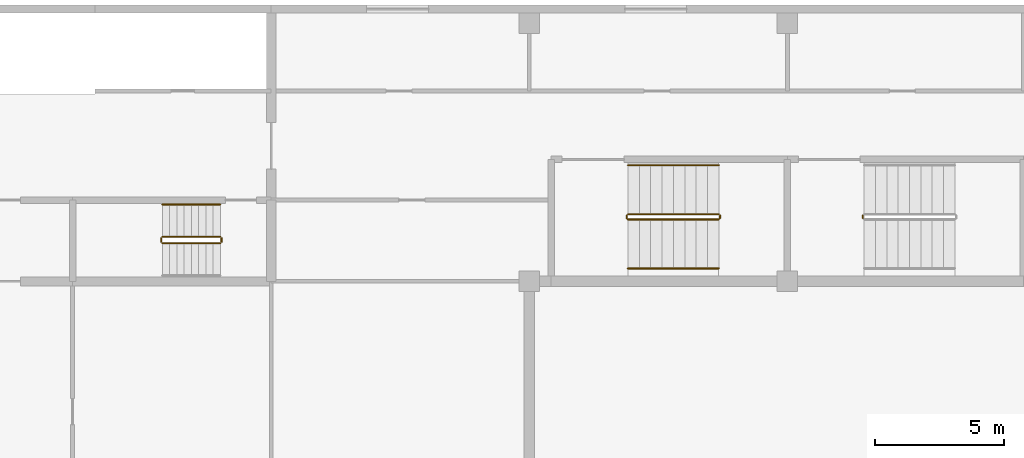
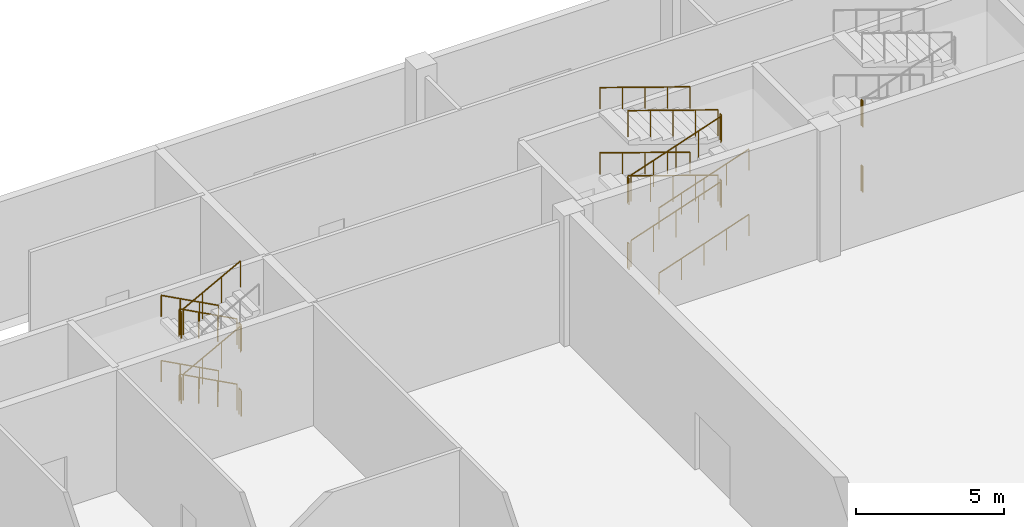
# One storey, part 33 of 35: 24 railings.
"""IFC4 building model written with IfcOpenShell, lengths in metres."""

import ifcopenshell
import ifcopenshell.guid

model = None  # the IFC model being written
_history = None  # IfcOwnerHistory: only IFC2X3 demands one
_inside = {}  # id of a spatial element -> (the spatial element, [elements in it])
_under = {}  # id of a project, library or spatial element -> (it, [spatial elements below it])
_declared = {}  # id of a project -> (the project, [libraries it declares])
_typed = {}  # id of a type object -> (the type object, [elements of that type])
_made_of = {}  # id of a material, layer set ... -> (it, [elements and type objects made of it])


def new_model(schema):
    """Start an empty IFC model of exactly this schema.

    Asked for "IFC4X3", IfcOpenShell would pick the latest addendum, in which some entities
    have other attributes; the version numbers below select the first issue.
    IFC2X3 requires an IfcOwnerHistory on every rooted entity: one is made here for all.
    """
    global model, _history
    if schema == "IFC4X3":
        model = ifcopenshell.file(schema_version=(4, 3, 0, 0))
    else:
        model = ifcopenshell.file(schema=schema)
    _inside.clear()
    _under.clear()
    _declared.clear()
    _typed.clear()
    _made_of.clear()
    _history = None
    if model.schema == "IFC2X3":
        org = make("IfcOrganization", Name="unknown")
        user = make(
            "IfcPersonAndOrganization",
            ThePerson=make("IfcPerson", FamilyName="unknown"),
            TheOrganization=org,
        )
        app = make(
            "IfcApplication",
            ApplicationDeveloper=org,
            Version="unknown",
            ApplicationFullName="unknown",
            ApplicationIdentifier="unknown",
        )
        _history = make(
            "IfcOwnerHistory",
            OwningUser=user,
            OwningApplication=app,
            ChangeAction="ADDED",
            CreationDate=0,
        )
    return model


def make(cls, **values):
    """One entity of the class cls with the attributes given. An attribute that is None is left unset."""
    return model.create_entity(
        cls, **{name: value for name, value in values.items() if value is not None}
    )


def rooted(cls, **values):
    """An entity with a GlobalId (a new one), such as an element, a storey or a relation."""
    return make(cls, GlobalId=ifcopenshell.guid.new(), OwnerHistory=_history, **values)


def si_unit(unit_type, name, prefix=None):
    """IfcSIUnit, for example si_unit("LENGTHUNIT", "METRE", prefix="MILLI")."""
    return make("IfcSIUnit", UnitType=unit_type, Prefix=prefix, Name=name)


def assignment(units):
    """IfcUnitAssignment: the units of a project."""
    return None if units is None else make("IfcUnitAssignment", Units=units)


def point(xyz):
    """IfcCartesianPoint."""
    return None if xyz is None else make("IfcCartesianPoint", Coordinates=xyz)


def direction(xyz):
    """IfcDirection."""
    return None if xyz is None else make("IfcDirection", DirectionRatios=xyz)


def frame(location, z_axis=None, x_axis=None):
    """IfcAxis2Placement3D, a coordinate frame: its origin and axes. An axis left out is left unset."""
    return make(
        "IfcAxis2Placement3D",
        Location=point(location),
        Axis=direction(z_axis),
        RefDirection=direction(x_axis),
    )


def frame_2d(location, x_axis=None):
    """IfcAxis2Placement2D, a coordinate frame in the plane: its origin and x axis."""
    return make(
        "IfcAxis2Placement2D", Location=point(location), RefDirection=direction(x_axis)
    )


def origin():
    """The frame at (0, 0, 0) with its axes left unset."""
    return frame((0.0, 0.0, 0.0))


def origin_2d():
    """The frame at (0, 0) in the plane with its x axis left unset."""
    return frame_2d((0.0, 0.0))


def place(relative_to, where):
    """IfcLocalPlacement: puts the frame where relative to a parent placement (None: the world)."""
    return make(
        "IfcLocalPlacement", PlacementRelTo=relative_to, RelativePlacement=where
    )


def context(
    kind, dimensions, precision=None, world=None, true_north=None, identifier=None
):
    """IfcGeometricRepresentationContext, for example the 3D "Model" context."""
    return make(
        "IfcGeometricRepresentationContext",
        ContextIdentifier=identifier,
        ContextType=kind,
        CoordinateSpaceDimension=dimensions,
        Precision=precision,
        WorldCoordinateSystem=world,
        TrueNorth=true_north,
    )


def subcontext(parent, identifier, kind, view, scale=None):
    """IfcGeometricRepresentationSubContext, for example "Body" below "Model"."""
    return make(
        "IfcGeometricRepresentationSubContext",
        ContextIdentifier=identifier,
        ContextType=kind,
        ParentContext=parent,
        TargetScale=scale,
        TargetView=view,
    )


def project(units=None, contexts=None):
    """IfcProject with its units and contexts."""
    return rooted(
        "IfcProject",
        Name="project",
        RepresentationContexts=contexts,
        UnitsInContext=assignment(units),
    )


def spatial(cls, under=None, at=None, **own):
    """A site, building, storey or space (cls), placed at a placement, below another one or the project."""
    s = rooted(cls, ObjectPlacement=at, **own)
    if under is not None:
        _under.setdefault(under.id(), (under, []))[1].append(s)
    return s


def profile(cls, at=None, kind="AREA", **sizes):
    """A parametric profile (cls). Its sizes go by their IFC names, for example OverallWidth=200.0."""
    return make(cls, ProfileType=kind, Position=at, **sizes)


def circle(**sizes):
    """IfcCircleProfileDef."""
    return profile("IfcCircleProfileDef", **sizes)


def extrude(swept, where, along, depth):
    """IfcExtrudedAreaSolid: the profile swept, set in the frame where, extruded along a direction by depth."""
    return make(
        "IfcExtrudedAreaSolid",
        SweptArea=swept,
        Position=where,
        ExtrudedDirection=direction(along),
        Depth=depth,
    )


def shape(context_of_items, identifier, shape_type, items):
    """IfcShapeRepresentation: the items that make up one representation, for example the "Body"."""
    return make(
        "IfcShapeRepresentation",
        ContextOfItems=context_of_items,
        RepresentationIdentifier=identifier,
        RepresentationType=shape_type,
        Items=items,
    )


def material(Name=None, Category=None):
    """IfcMaterial."""
    return make("IfcMaterial", Name=Name, Category=Category)


def made_of(thing, what):
    """Note that an element or type object is made of a material, layer set ...; save() writes the relation."""
    if what is not None:
        _made_of.setdefault(what.id(), (what, []))[1].append(thing)
    return thing


def type_object(cls, material=None, **own):
    """A type object (cls), such as IfcWallType, which elements share."""
    return made_of(rooted(cls, **own), material)


def element(
    cls,
    number,
    at=None,
    inside=None,
    cuts=None,
    type_object=None,
    material=None,
    context=None,
    identifier="Body",
    shape_type=None,
    held_by="IfcProductDefinitionShape",
    body=None,
    shapes=None,
    **own,
):
    """One element of the class cls, such as IfcWall. Its Tag is "e" and its number.

    at: its placement. inside: the storey or other place that contains it. cuts: it is an
    opening in that element (IfcRelVoidsElement). A single representation is given by context,
    identifier, shape_type and body (its items); several are given by shapes. held_by: the class
    of the entity that holds the representations. save() writes the other relations.
    """
    e = rooted(cls, Tag="e%d" % number, ObjectPlacement=at, **own)
    if body is not None:
        shapes = [shape(context, identifier, shape_type, body)]
    if shapes is not None:
        e.Representation = make(held_by, Representations=shapes)
    if inside is not None:
        _inside.setdefault(inside.id(), (inside, []))[1].append(e)
    if cuts is not None:
        rooted(
            "IfcRelVoidsElement", RelatingBuildingElement=cuts, RelatedOpeningElement=e
        )
    if type_object is not None:
        _typed.setdefault(type_object.id(), (type_object, []))[1].append(e)
    return made_of(e, material)


def aggregate(whole, parts):
    """IfcRelAggregates: a whole, such as a stair, and the parts it consists of."""
    return rooted("IfcRelAggregates", RelatingObject=whole, RelatedObjects=parts)


def save(model, path):
    """Write the relations noted so far, then the file.

    IfcRelAggregates (storeys below a building ...), IfcRelContainedInSpatialStructure (elements
    in a storey), IfcRelDefinesByType, IfcRelAssociatesMaterial and IfcRelDeclares: one each for
    every whole, place, type object, material and project.
    """
    for whole, parts in _under.values():
        aggregate(whole, parts)
    for where, things in _inside.values():
        rooted(
            "IfcRelContainedInSpatialStructure",
            RelatedElements=things,
            RelatingStructure=where,
        )
    for kind, things in _typed.values():
        rooted("IfcRelDefinesByType", RelatedObjects=things, RelatingType=kind)
    for what, things in _made_of.values():
        rooted("IfcRelAssociatesMaterial", RelatedObjects=things, RelatingMaterial=what)
    for by, libraries in _declared.values():
        rooted("IfcRelDeclares", RelatingContext=by, RelatedDefinitions=libraries)
    model.write(path)


model = new_model("IFC4")

# Units and contexts
model_context = context("Model", 3, precision=1e-05, world=origin(), true_north=direction((0.0, 1.0)))
body_context = subcontext(model_context, "Body", "Model", "MODEL_VIEW")
ifc_project = project(units=[si_unit("LENGTHUNIT", "METRE"), si_unit("AREAUNIT", "SQUARE_METRE"), si_unit("VOLUMEUNIT", "CUBIC_METRE"), si_unit("PLANEANGLEUNIT", "RADIAN"), si_unit("MASSUNIT", "GRAM", prefix="KILO")], contexts=[model_context])

# Site, building, storey
site_placement = place(None, origin())
site = spatial("IfcSite", under=ifc_project, at=site_placement, CompositionType="ELEMENT")
building_placement = place(site_placement, origin())
building = spatial("IfcBuilding", under=site, at=building_placement, Name="Jabali Bay Hotel Tower and Convention Centre", CompositionType="ELEMENT")
storey_placement = place(building_placement, frame((0.0, 0.0, 15.0)))
storey = spatial("IfcBuildingStorey", under=building, at=storey_placement, Name="L02", CompositionType="ELEMENT", Elevation=15.0)

# Railings
ifc_material = material(Name="Stainless steel 304", Category="steel")
railing_type_1 = type_object("IfcRailingType", Name="CC Stair Guard 1100", PredefinedType="GUARDRAIL", material=ifc_material)
railing_1_placement = place(storey_placement, frame((168.72509765625, 101.72509765625, 0.14990234375)))
element("IfcRailing", 1, at=railing_1_placement, inside=storey, type_object=railing_type_1, Name="L02 CC-STWB stair guard 1", PredefinedType="GUARDRAIL", context=body_context, shape_type="SweptSolid", body=[
    extrude(circle(Radius=0.02392578125, at=origin_2d()), frame((0.0, 0.0, 1.076171875), z_axis=(-0.881447119201, 0.0, 0.472282728937), x_axis=(0.0, -1.0, 0.0)), (0.0, 0.0, 1.0), 2.541259765625),
    extrude(circle(Radius=0.02099609375, at=origin_2d()), origin(), (0.0, 0.0, 1.0), 1.052001953125),
    extrude(circle(Radius=0.02099609375, at=origin_2d()), frame((-0.74658203125, 0.0, 0.400146484375)), (0.0, 0.0, 1.0), 1.052001953125),
    extrude(circle(Radius=0.02099609375, at=origin_2d()), frame((-1.493408203125, 0.0, 0.800048828125)), (0.0, 0.0, 1.0), 1.052001953125),
    extrude(circle(Radius=0.02099609375, at=origin_2d()), frame((-2.239990234375, 0.0, 1.2001953125)), (0.0, 0.0, 1.0), 1.052001953125),
])
railing_2_placement = place(storey_placement, frame((166.43505859375, 101.675048828125, 1.35009765625)))
element("IfcRailing", 2, at=railing_2_placement, inside=storey, type_object=railing_type_1, Name="L02 CC-STWB stair guard 2", PredefinedType="GUARDRAIL", context=body_context, shape_type="SweptSolid", body=[
    extrude(circle(Radius=0.02392578125, at=origin_2d()), frame((0.0, 0.0, 1.076171875), z_axis=(0.0, -1.0, 0.0), x_axis=(1.0, 0.0, 0.0)), (0.0, 0.0, 1.0), 0.150146484375),
    extrude(circle(Radius=0.02099609375, at=origin_2d()), origin(), (0.0, 0.0, 1.0), 1.052001953125),
    extrude(circle(Radius=0.02099609375, at=origin_2d()), frame((0.0, -0.150146484375, 0.0)), (0.0, 0.0, 1.0), 1.052001953125),
])
railing_3_placement = place(storey_placement, frame((166.485107421875, 101.47509765625, 1.5)))
element("IfcRailing", 3, at=railing_3_placement, inside=storey, type_object=railing_type_1, Name="L02 CC-STWB stair guard 3", PredefinedType="GUARDRAIL", context=body_context, shape_type="SweptSolid", body=[
    extrude(circle(Radius=0.02392578125, at=origin_2d()), frame((0.0, 0.0, 1.076171875), z_axis=(0.881487111273, 0.0, 0.472208081951), x_axis=(0.0, 1.0, 0.0)), (0.0, 0.0, 1.0), 2.541259765625),
    extrude(circle(Radius=0.02099609375, at=origin_2d()), origin(), (0.0, 0.0, 1.0), 1.052001953125),
    extrude(circle(Radius=0.02099609375, at=origin_2d()), frame((0.74658203125, 0.0, 0.39990234375)), (0.0, 0.0, 1.0), 1.052001953125),
    extrude(circle(Radius=0.02099609375, at=origin_2d()), frame((1.493408203125, 0.0, 0.800048828125)), (0.0, 0.0, 1.0), 1.052001953125),
    extrude(circle(Radius=0.02099609375, at=origin_2d()), frame((2.239990234375, 0.0, 1.199951171875)), (0.0, 0.0, 1.0), 1.052001953125),
])
railing_4_placement = place(storey_placement, frame((168.77490234375, 101.675048828125, 2.699951171875)))
element("IfcRailing", 4, at=railing_4_placement, inside=storey, type_object=railing_type_1, Name="L02 CC-STWB stair guard 4", PredefinedType="GUARDRAIL", context=body_context, shape_type="SweptSolid", body=[
    extrude(circle(Radius=0.02392578125, at=origin_2d()), frame((0.0, 0.0, 1.076171875), z_axis=(0.0, -1.0, 0.0), x_axis=(1.0, 0.0, 0.0)), (0.0, 0.0, 1.0), 0.150146484375),
    extrude(circle(Radius=0.02099609375, at=origin_2d()), origin(), (0.0, 0.0, 1.0), 1.052001953125),
    extrude(circle(Radius=0.02099609375, at=origin_2d()), frame((0.0, -0.150146484375, 0.0)), (0.0, 0.0, 1.0), 1.052001953125),
])
railing_5_placement = place(storey_placement, frame((168.72509765625, 101.72509765625, 2.85009765625)))
element("IfcRailing", 5, at=railing_5_placement, inside=storey, type_object=railing_type_1, Name="L02 CC-STWB stair guard 5", PredefinedType="GUARDRAIL", context=body_context, shape_type="SweptSolid", body=[
    extrude(circle(Radius=0.02392578125, at=origin_2d()), frame((0.0, 0.0, 1.076171875), z_axis=(-0.881487111273, 0.0, 0.472208081951), x_axis=(0.0, -1.0, 0.0)), (0.0, 0.0, 1.0), 2.541259765625),
    extrude(circle(Radius=0.02099609375, at=origin_2d()), origin(), (0.0, 0.0, 1.0), 1.052001953125),
    extrude(circle(Radius=0.02099609375, at=origin_2d()), frame((-0.74658203125, 0.0, 0.39990234375)), (0.0, 0.0, 1.0), 1.052001953125),
    extrude(circle(Radius=0.02099609375, at=origin_2d()), frame((-1.493408203125, 0.0, 0.800048828125)), (0.0, 0.0, 1.0), 1.052001953125),
    extrude(circle(Radius=0.02099609375, at=origin_2d()), frame((-2.239990234375, 0.0, 1.199951171875)), (0.0, 0.0, 1.0), 1.052001953125),
])
railing_6_placement = place(storey_placement, frame((166.43505859375, 101.675048828125, 4.050048828125)))
element("IfcRailing", 6, at=railing_6_placement, inside=storey, type_object=railing_type_1, Name="L02 CC-STWB stair guard 6", PredefinedType="GUARDRAIL", context=body_context, shape_type="SweptSolid", body=[
    extrude(circle(Radius=0.02392578125, at=origin_2d()), frame((0.0, 0.0, 1.076171875), z_axis=(0.0, -1.0, 0.0), x_axis=(1.0, 0.0, 0.0)), (0.0, 0.0, 1.0), 0.150146484375),
    extrude(circle(Radius=0.02099609375, at=origin_2d()), origin(), (0.0, 0.0, 1.0), 1.052001953125),
    extrude(circle(Radius=0.02099609375, at=origin_2d()), frame((0.0, -0.150146484375, 0.0)), (0.0, 0.0, 1.0), 1.052001953125),
])
railing_7_placement = place(storey_placement, frame((166.485107421875, 101.47509765625, 4.199951171875)))
element("IfcRailing", 7, at=railing_7_placement, inside=storey, type_object=railing_type_1, Name="L02 CC-STWB stair guard 7", PredefinedType="GUARDRAIL", context=body_context, shape_type="SweptSolid", body=[
    extrude(circle(Radius=0.02392578125, at=origin_2d()), frame((0.0, 0.0, 1.076171875), z_axis=(0.881487111273, 0.0, 0.472208081951), x_axis=(0.0, 1.0, 0.0)), (0.0, 0.0, 1.0), 2.541259765625),
    extrude(circle(Radius=0.02099609375, at=origin_2d()), origin(), (0.0, 0.0, 1.0), 1.052001953125),
    extrude(circle(Radius=0.02099609375, at=origin_2d()), frame((0.74658203125, 0.0, 0.39990234375)), (0.0, 0.0, 1.0), 1.052001953125),
    extrude(circle(Radius=0.02099609375, at=origin_2d()), frame((1.493408203125, 0.0, 0.800048828125)), (0.0, 0.0, 1.0), 1.052001953125),
    extrude(circle(Radius=0.02099609375, at=origin_2d()), frame((2.239990234375, 0.0, 1.199951171875)), (0.0, 0.0, 1.0), 1.052001953125),
])
railing_8_placement = place(storey_placement, frame((168.77490234375, 101.675048828125, 0.0)))
element("IfcRailing", 8, at=railing_8_placement, inside=storey, type_object=railing_type_1, Name="L02 CC-STWB stair guard 8", PredefinedType="GUARDRAIL", context=body_context, shape_type="SweptSolid", body=[
    extrude(circle(Radius=0.02392578125, at=origin_2d()), frame((0.0, 0.0, 1.076171875), z_axis=(0.0, -1.0, 0.0), x_axis=(1.0, 0.0, 0.0)), (0.0, 0.0, 1.0), 0.150146484375),
    extrude(circle(Radius=0.02099609375, at=origin_2d()), origin(), (0.0, 0.0, 1.0), 1.052001953125),
    extrude(circle(Radius=0.02099609375, at=origin_2d()), frame((0.0, -0.150146484375, 0.0)), (0.0, 0.0, 1.0), 1.052001953125),
])
railing_9_placement = place(storey_placement, frame((184.52490234375, 102.39990234375, 0.14990234375)))
element("IfcRailing", 9, at=railing_9_placement, inside=storey, type_object=railing_type_1, Name="L02 CC-STN1 stair guard 1", PredefinedType="GUARDRAIL", context=body_context, shape_type="SweptSolid", body=[
    extrude(circle(Radius=0.02392578125, at=origin_2d()), frame((0.0, 0.0, 1.076171875), z_axis=(0.946494694335, 0.0, 0.322719372822), x_axis=(0.0, 1.0, 0.0)), (0.0, 0.0, 1.0), 3.718994140625),
    extrude(circle(Radius=0.02099609375, at=origin_2d()), origin(), (0.0, 0.0, 1.0), 1.052001953125),
    extrude(circle(Radius=0.02099609375, at=origin_2d()), frame((0.8798828125, 0.0, 0.300048828125)), (0.0, 0.0, 1.0), 1.052001953125),
    extrude(circle(Radius=0.02099609375, at=origin_2d()), frame((1.760009765625, 0.0, 0.60009765625)), (0.0, 0.0, 1.0), 1.052001953125),
    extrude(circle(Radius=0.02099609375, at=origin_2d()), frame((2.64013671875, 0.0, 0.900146484375)), (0.0, 0.0, 1.0), 1.052001953125),
    extrude(circle(Radius=0.02099609375, at=origin_2d()), frame((3.52001953125, 0.0, 1.2001953125)), (0.0, 0.0, 1.0), 1.052001953125),
])
railing_10_placement = place(storey_placement, frame((188.094970703125, 102.449951171875, 1.35009765625)))
element("IfcRailing", 10, at=railing_10_placement, inside=storey, type_object=railing_type_1, Name="L02 CC-STN1 stair guard 2", PredefinedType="GUARDRAIL", context=body_context, shape_type="SweptSolid", body=[
    extrude(circle(Radius=0.02392578125, at=origin_2d()), frame((0.0, 0.0, 1.076171875), z_axis=(0.0, 1.0, 0.0), x_axis=(-1.0, 0.0, 0.0)), (0.0, 0.0, 1.0), 0.10009765625),
    extrude(circle(Radius=0.02099609375, at=origin_2d()), origin(), (0.0, 0.0, 1.0), 1.052001953125),
    extrude(circle(Radius=0.02099609375, at=origin_2d()), frame((0.0, 0.10009765625, 0.0)), (0.0, 0.0, 1.0), 1.052001953125),
])
railing_11_placement = place(storey_placement, frame((188.044921875, 102.60009765625, 1.5)))
element("IfcRailing", 11, at=railing_11_placement, inside=storey, type_object=railing_type_1, Name="L02 CC-STN1 stair guard 3", PredefinedType="GUARDRAIL", context=body_context, shape_type="SweptSolid", body=[
    extrude(circle(Radius=0.02392578125, at=origin_2d()), frame((0.0, 0.0, 1.076171875), z_axis=(-0.946514744872, 0.0, 0.322660561177), x_axis=(0.0, -1.0, 0.0)), (0.0, 0.0, 1.0), 3.718994140625),
    extrude(circle(Radius=0.02099609375, at=origin_2d()), origin(), (0.0, 0.0, 1.0), 1.052001953125),
    extrude(circle(Radius=0.02099609375, at=origin_2d()), frame((-0.8798828125, 0.0, 0.300048828125)), (0.0, 0.0, 1.0), 1.052001953125),
    extrude(circle(Radius=0.02099609375, at=origin_2d()), frame((-1.760009765625, 0.0, 0.60009765625)), (0.0, 0.0, 1.0), 1.052001953125),
    extrude(circle(Radius=0.02099609375, at=origin_2d()), frame((-2.64013671875, 0.0, 0.89990234375)), (0.0, 0.0, 1.0), 1.052001953125),
    extrude(circle(Radius=0.02099609375, at=origin_2d()), frame((-3.52001953125, 0.0, 1.199951171875)), (0.0, 0.0, 1.0), 1.052001953125),
])
railing_12_placement = place(storey_placement, frame((184.47509765625, 102.449951171875, 2.699951171875)))
element("IfcRailing", 12, at=railing_12_placement, inside=storey, type_object=railing_type_1, Name="L02 CC-STN1 stair guard 4", PredefinedType="GUARDRAIL", context=body_context, shape_type="SweptSolid", body=[
    extrude(circle(Radius=0.02392578125, at=origin_2d()), frame((0.0, 0.0, 1.076171875), z_axis=(0.0, 1.0, 0.0), x_axis=(-1.0, 0.0, 0.0)), (0.0, 0.0, 1.0), 0.10009765625),
    extrude(circle(Radius=0.02099609375, at=origin_2d()), origin(), (0.0, 0.0, 1.0), 1.052001953125),
    extrude(circle(Radius=0.02099609375, at=origin_2d()), frame((0.0, 0.10009765625, 0.0)), (0.0, 0.0, 1.0), 1.052001953125),
])
railing_13_placement = place(storey_placement, frame((184.52490234375, 102.39990234375, 2.85009765625)))
element("IfcRailing", 13, at=railing_13_placement, inside=storey, type_object=railing_type_1, Name="L02 CC-STN1 stair guard 5", PredefinedType="GUARDRAIL", context=body_context, shape_type="SweptSolid", body=[
    extrude(circle(Radius=0.02392578125, at=origin_2d()), frame((0.0, 0.0, 1.076171875), z_axis=(0.946514744872, 0.0, 0.322660561177), x_axis=(0.0, 1.0, 0.0)), (0.0, 0.0, 1.0), 3.718994140625),
    extrude(circle(Radius=0.02099609375, at=origin_2d()), origin(), (0.0, 0.0, 1.0), 1.052001953125),
    extrude(circle(Radius=0.02099609375, at=origin_2d()), frame((0.8798828125, 0.0, 0.300048828125)), (0.0, 0.0, 1.0), 1.052001953125),
    extrude(circle(Radius=0.02099609375, at=origin_2d()), frame((1.760009765625, 0.0, 0.60009765625)), (0.0, 0.0, 1.0), 1.052001953125),
    extrude(circle(Radius=0.02099609375, at=origin_2d()), frame((2.64013671875, 0.0, 0.89990234375)), (0.0, 0.0, 1.0), 1.052001953125),
    extrude(circle(Radius=0.02099609375, at=origin_2d()), frame((3.52001953125, 0.0, 1.199951171875)), (0.0, 0.0, 1.0), 1.052001953125),
])
railing_14_placement = place(storey_placement, frame((188.094970703125, 102.449951171875, 4.050048828125)))
element("IfcRailing", 14, at=railing_14_placement, inside=storey, type_object=railing_type_1, Name="L02 CC-STN1 stair guard 6", PredefinedType="GUARDRAIL", context=body_context, shape_type="SweptSolid", body=[
    extrude(circle(Radius=0.02392578125, at=origin_2d()), frame((0.0, 0.0, 1.076171875), z_axis=(0.0, 1.0, 0.0), x_axis=(-1.0, 0.0, 0.0)), (0.0, 0.0, 1.0), 0.10009765625),
    extrude(circle(Radius=0.02099609375, at=origin_2d()), origin(), (0.0, 0.0, 1.0), 1.052001953125),
    extrude(circle(Radius=0.02099609375, at=origin_2d()), frame((0.0, 0.10009765625, 0.0)), (0.0, 0.0, 1.0), 1.052001953125),
])
railing_15_placement = place(storey_placement, frame((188.044921875, 102.60009765625, 4.199951171875)))
element("IfcRailing", 15, at=railing_15_placement, inside=storey, type_object=railing_type_1, Name="L02 CC-STN1 stair guard 7", PredefinedType="GUARDRAIL", context=body_context, shape_type="SweptSolid", body=[
    extrude(circle(Radius=0.02392578125, at=origin_2d()), frame((0.0, 0.0, 1.076171875), z_axis=(-0.946514744872, 0.0, 0.322660561177), x_axis=(0.0, -1.0, 0.0)), (0.0, 0.0, 1.0), 3.718994140625),
    extrude(circle(Radius=0.02099609375, at=origin_2d()), origin(), (0.0, 0.0, 1.0), 1.052001953125),
    extrude(circle(Radius=0.02099609375, at=origin_2d()), frame((-0.8798828125, 0.0, 0.300048828125)), (0.0, 0.0, 1.0), 1.052001953125),
    extrude(circle(Radius=0.02099609375, at=origin_2d()), frame((-1.760009765625, 0.0, 0.60009765625)), (0.0, 0.0, 1.0), 1.052001953125),
    extrude(circle(Radius=0.02099609375, at=origin_2d()), frame((-2.64013671875, 0.0, 0.89990234375)), (0.0, 0.0, 1.0), 1.052001953125),
    extrude(circle(Radius=0.02099609375, at=origin_2d()), frame((-3.52001953125, 0.0, 1.199951171875)), (0.0, 0.0, 1.0), 1.052001953125),
])
for number, where, name in (
    (16, (184.47509765625, 102.449951171875, 0.0), "L02 CC-STN1 stair guard 8"),
    (17, (193.625, 102.449951171875, 2.699951171875), "L02 CC-STN2 stair guard 4"),
    (18, (193.625, 102.449951171875, 0.0), "L02 CC-STN2 stair guard 8"),
):
    element("IfcRailing", number, at=place(storey_placement, frame(where)), inside=storey, type_object=railing_type_1, Name=name, PredefinedType="GUARDRAIL", context=body_context, shape_type="SweptSolid", body=[
        extrude(circle(Radius=0.02392578125, at=origin_2d()), frame((0.0, 0.0, 1.076171875), z_axis=(0.0, 1.0, 0.0), x_axis=(-1.0, 0.0, 0.0)), (0.0, 0.0, 1.0), 0.10009765625),
        extrude(circle(Radius=0.02099609375, at=origin_2d()), origin(), (0.0, 0.0, 1.0), 1.052001953125),
        extrude(circle(Radius=0.02099609375, at=origin_2d()), frame((0.0, 0.10009765625, 0.0)), (0.0, 0.0, 1.0), 1.052001953125),
    ])
railing_type_2 = type_object("IfcRailingType", Name="CC Stair Handrail 900", PredefinedType="HANDRAIL", material=ifc_material)
railing_16_placement = place(storey_placement, frame((168.72509765625, 102.97509765625, 0.14990234375)))
element("IfcRailing", 19, at=railing_16_placement, inside=storey, type_object=railing_type_2, Name="L02 CC-STWB stair handrail 1", PredefinedType="HANDRAIL", context=body_context, shape_type="SweptSolid", body=[
    extrude(circle(Radius=0.02392578125, at=origin_2d()), frame((0.0, 0.0, 0.8759765625), z_axis=(-0.881447119201, 0.0, 0.472282728937), x_axis=(0.0, -1.0, 0.0)), (0.0, 0.0, 1.0), 2.541259765625),
    extrude(circle(Radius=0.02099609375, at=origin_2d()), origin(), (0.0, 0.0, 1.0), 0.851806640625),
    extrude(circle(Radius=0.02099609375, at=origin_2d()), frame((-0.74658203125, 0.0, 0.400146484375)), (0.0, 0.0, 1.0), 0.851806640625),
    extrude(circle(Radius=0.02099609375, at=origin_2d()), frame((-1.493408203125, 0.0, 0.800048828125)), (0.0, 0.0, 1.0), 0.851806640625),
    extrude(circle(Radius=0.02099609375, at=origin_2d()), frame((-2.239990234375, 0.0, 1.2001953125)), (0.0, 0.0, 1.0), 0.851806640625),
])
railing_17_placement = place(storey_placement, frame((168.72509765625, 102.97509765625, 2.85009765625)))
element("IfcRailing", 20, at=railing_17_placement, inside=storey, type_object=railing_type_2, Name="L02 CC-STWB stair handrail 3", PredefinedType="HANDRAIL", context=body_context, shape_type="SweptSolid", body=[
    extrude(circle(Radius=0.02392578125, at=origin_2d()), frame((0.0, 0.0, 0.8759765625), z_axis=(-0.881487111273, 0.0, 0.472208081951), x_axis=(0.0, -1.0, 0.0)), (0.0, 0.0, 1.0), 2.541259765625),
    extrude(circle(Radius=0.02099609375, at=origin_2d()), origin(), (0.0, 0.0, 1.0), 0.851806640625),
    extrude(circle(Radius=0.02099609375, at=origin_2d()), frame((-0.74658203125, 0.0, 0.39990234375)), (0.0, 0.0, 1.0), 0.851806640625),
    extrude(circle(Radius=0.02099609375, at=origin_2d()), frame((-1.493408203125, 0.0, 0.800048828125)), (0.0, 0.0, 1.0), 0.851806640625),
    extrude(circle(Radius=0.02099609375, at=origin_2d()), frame((-2.239990234375, 0.0, 1.199951171875)), (0.0, 0.0, 1.0), 0.851806640625),
])
railing_18_placement = place(storey_placement, frame((184.52490234375, 100.5, 0.14990234375)))
element("IfcRailing", 21, at=railing_18_placement, inside=storey, type_object=railing_type_2, Name="L02 CC-STN1 stair handrail 1", PredefinedType="HANDRAIL", context=body_context, shape_type="SweptSolid", body=[
    extrude(circle(Radius=0.02392578125, at=origin_2d()), frame((0.0, 0.0, 0.8759765625), z_axis=(0.946494694335, 0.0, 0.322719372822), x_axis=(0.0, 1.0, 0.0)), (0.0, 0.0, 1.0), 3.718994140625),
    extrude(circle(Radius=0.02099609375, at=origin_2d()), origin(), (0.0, 0.0, 1.0), 0.851806640625),
    extrude(circle(Radius=0.02099609375, at=origin_2d()), frame((0.8798828125, 0.0, 0.300048828125)), (0.0, 0.0, 1.0), 0.851806640625),
    extrude(circle(Radius=0.02099609375, at=origin_2d()), frame((1.760009765625, 0.0, 0.60009765625)), (0.0, 0.0, 1.0), 0.851806640625),
    extrude(circle(Radius=0.02099609375, at=origin_2d()), frame((2.64013671875, 0.0, 0.900146484375)), (0.0, 0.0, 1.0), 0.851806640625),
    extrude(circle(Radius=0.02099609375, at=origin_2d()), frame((3.52001953125, 0.0, 1.2001953125)), (0.0, 0.0, 1.0), 0.851806640625),
])
railing_19_placement = place(storey_placement, frame((188.044921875, 104.5, 1.5)))
element("IfcRailing", 22, at=railing_19_placement, inside=storey, type_object=railing_type_2, Name="L02 CC-STN1 stair handrail 2", PredefinedType="HANDRAIL", context=body_context, shape_type="SweptSolid", body=[
    extrude(circle(Radius=0.02392578125, at=origin_2d()), frame((0.0, 0.0, 0.8759765625), z_axis=(-0.946514744872, 0.0, 0.322660561177), x_axis=(0.0, -1.0, 0.0)), (0.0, 0.0, 1.0), 3.718994140625),
    extrude(circle(Radius=0.02099609375, at=origin_2d()), origin(), (0.0, 0.0, 1.0), 0.851806640625),
    extrude(circle(Radius=0.02099609375, at=origin_2d()), frame((-0.8798828125, 0.0, 0.300048828125)), (0.0, 0.0, 1.0), 0.851806640625),
    extrude(circle(Radius=0.02099609375, at=origin_2d()), frame((-1.760009765625, 0.0, 0.60009765625)), (0.0, 0.0, 1.0), 0.851806640625),
    extrude(circle(Radius=0.02099609375, at=origin_2d()), frame((-2.64013671875, 0.0, 0.89990234375)), (0.0, 0.0, 1.0), 0.851806640625),
    extrude(circle(Radius=0.02099609375, at=origin_2d()), frame((-3.52001953125, 0.0, 1.199951171875)), (0.0, 0.0, 1.0), 0.851806640625),
])
railing_20_placement = place(storey_placement, frame((184.52490234375, 100.5, 2.85009765625)))
element("IfcRailing", 23, at=railing_20_placement, inside=storey, type_object=railing_type_2, Name="L02 CC-STN1 stair handrail 3", PredefinedType="HANDRAIL", context=body_context, shape_type="SweptSolid", body=[
    extrude(circle(Radius=0.02392578125, at=origin_2d()), frame((0.0, 0.0, 0.8759765625), z_axis=(0.946514744872, 0.0, 0.322660561177), x_axis=(0.0, 1.0, 0.0)), (0.0, 0.0, 1.0), 3.718994140625),
    extrude(circle(Radius=0.02099609375, at=origin_2d()), origin(), (0.0, 0.0, 1.0), 0.851806640625),
    extrude(circle(Radius=0.02099609375, at=origin_2d()), frame((0.8798828125, 0.0, 0.300048828125)), (0.0, 0.0, 1.0), 0.851806640625),
    extrude(circle(Radius=0.02099609375, at=origin_2d()), frame((1.760009765625, 0.0, 0.60009765625)), (0.0, 0.0, 1.0), 0.851806640625),
    extrude(circle(Radius=0.02099609375, at=origin_2d()), frame((2.64013671875, 0.0, 0.89990234375)), (0.0, 0.0, 1.0), 0.851806640625),
    extrude(circle(Radius=0.02099609375, at=origin_2d()), frame((3.52001953125, 0.0, 1.199951171875)), (0.0, 0.0, 1.0), 0.851806640625),
])
railing_21_placement = place(storey_placement, frame((188.044921875, 104.5, 4.199951171875)))
element("IfcRailing", 24, at=railing_21_placement, inside=storey, type_object=railing_type_2, Name="L02 CC-STN1 stair handrail 4", PredefinedType="HANDRAIL", context=body_context, shape_type="SweptSolid", body=[
    extrude(circle(Radius=0.02392578125, at=origin_2d()), frame((0.0, 0.0, 0.8759765625), z_axis=(-0.946514744872, 0.0, 0.322660561177), x_axis=(0.0, -1.0, 0.0)), (0.0, 0.0, 1.0), 3.718994140625),
    extrude(circle(Radius=0.02099609375, at=origin_2d()), origin(), (0.0, 0.0, 1.0), 0.851806640625),
    extrude(circle(Radius=0.02099609375, at=origin_2d()), frame((-0.8798828125, 0.0, 0.300048828125)), (0.0, 0.0, 1.0), 0.851806640625),
    extrude(circle(Radius=0.02099609375, at=origin_2d()), frame((-1.760009765625, 0.0, 0.60009765625)), (0.0, 0.0, 1.0), 0.851806640625),
    extrude(circle(Radius=0.02099609375, at=origin_2d()), frame((-2.64013671875, 0.0, 0.89990234375)), (0.0, 0.0, 1.0), 0.851806640625),
    extrude(circle(Radius=0.02099609375, at=origin_2d()), frame((-3.52001953125, 0.0, 1.199951171875)), (0.0, 0.0, 1.0), 0.851806640625),
])

save(model, "model.ifc")
